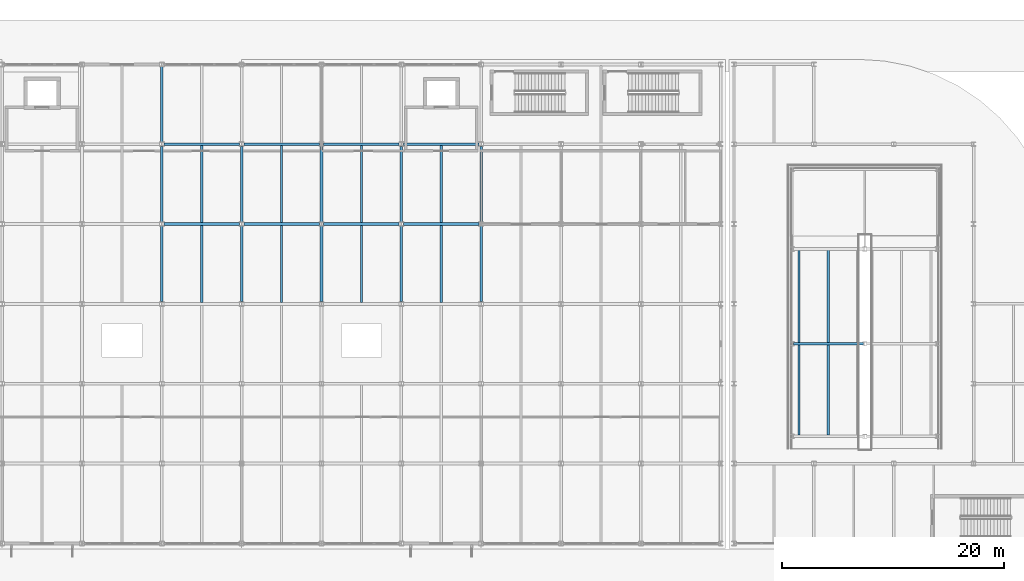
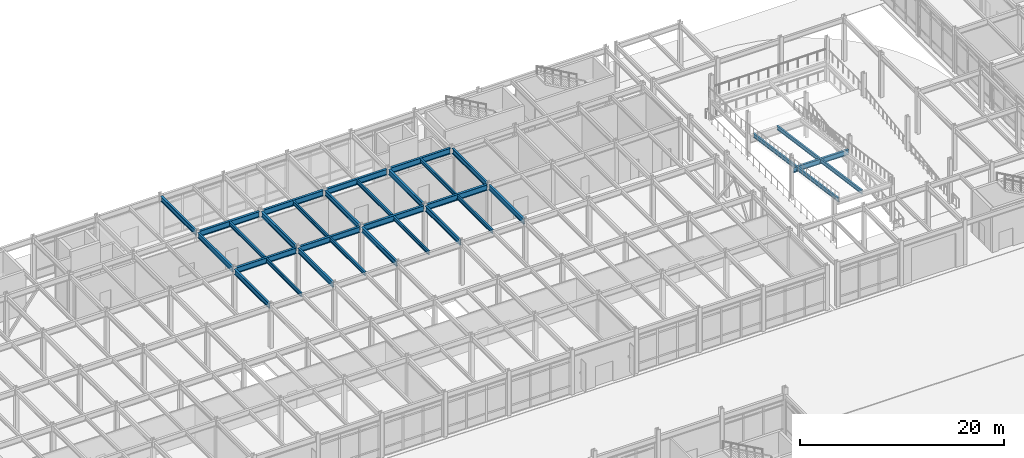
# One storey, part 37 of 104: 30 beams.
"""IFC4 building model written with IfcOpenShell, lengths in metres."""

from ifc_helpers import new_model, si_unit, direction, frame, origin, origin_2d, place, context, subcontext, project, spatial, i_section, extrude, material, material_profile, profile_set, type_object, element, save


model = new_model("IFC4")

# Units and contexts
model_context = context("Model", 3, precision=1e-05, world=origin(), true_north=direction((0.0, 1.0)))
body_context = subcontext(model_context, "Body", "Model", "MODEL_VIEW")
ifc_project = project(units=[si_unit("LENGTHUNIT", "METRE"), si_unit("AREAUNIT", "SQUARE_METRE"), si_unit("VOLUMEUNIT", "CUBIC_METRE"), si_unit("PLANEANGLEUNIT", "RADIAN"), si_unit("MASSUNIT", "GRAM", prefix="KILO")], contexts=[model_context])

# Site, building, storey
site_placement = place(None, origin())
site = spatial("IfcSite", under=ifc_project, at=site_placement, CompositionType="ELEMENT")
building_placement = place(site_placement, origin())
building = spatial("IfcBuilding", under=site, at=building_placement, Name="Vaelcorin Mobility Hub", CompositionType="ELEMENT")
storey_placement = place(building_placement, origin())
storey = spatial("IfcBuildingStorey", under=building, at=storey_placement, Name="L00", CompositionType="ELEMENT", Elevation=0.0)

# Beams
ifc_material = material(Name="Steel ASTM A992 Grade 50", Category="steel")
ifc_material_profile_1 = material_profile(ifc_material, i_section(OverallWidth=0.19091796875, OverallDepth=0.4599609375, WebThickness=0.010009765625, FlangeThickness=0.01611328125, FilletRadius=0.012939453125, at=origin_2d()), Name="W18X55")
ifc_profile_set_1 = profile_set([ifc_material_profile_1], Name="Steel ASTM A992 Grade 50")
beam_type_1 = type_object("IfcBeamType", Name="BM-W18X55", PredefinedType="JOIST", material=ifc_profile_set_1)
beam_1_placement = place(storey_placement, frame((75.60009765625, 98.52490234375, 4.929931640625), z_axis=(0.0, 1.0, 0.0), x_axis=(-1.0, 0.0, 0.0)))
element("IfcBeam", 1, at=beam_1_placement, inside=storey, type_object=beam_type_1, Name="L00 Beam V4-L00-J-06-04-1", PredefinedType="JOIST", context=body_context, shape_type="SweptSolid", body=[
    extrude(i_section(OverallWidth=0.19091796875, OverallDepth=0.4599609375, WebThickness=0.010009765625, FlangeThickness=0.01611328125, FilletRadius=0.012939453125, at=origin_2d()), origin(), (0.0, 0.0, 1.0), 6.9501953125),
])
beam_2_placement = place(storey_placement, frame((75.60009765625, 105.72509765625, 4.929931640625), z_axis=(0.0, 1.0, 0.0), x_axis=(-1.0, 0.0, 0.0)))
element("IfcBeam", 2, at=beam_2_placement, inside=storey, type_object=beam_type_1, Name="L00 Beam V4-L00-J-06-05-1", PredefinedType="JOIST", context=body_context, shape_type="SweptSolid", body=[
    extrude(i_section(OverallWidth=0.19091796875, OverallDepth=0.4599609375, WebThickness=0.010009765625, FlangeThickness=0.01611328125, FilletRadius=0.012939453125, at=origin_2d()), origin(), (0.0, 0.0, 1.0), 6.949951171875),
])
beam_3_placement = place(storey_placement, frame((82.800048828125, 98.52490234375, 4.929931640625), z_axis=(0.0, 1.0, 0.0), x_axis=(-1.0, 0.0, 0.0)))
element("IfcBeam", 3, at=beam_3_placement, inside=storey, type_object=beam_type_1, Name="L00 Beam V4-L00-J-07-04-1", PredefinedType="JOIST", context=body_context, shape_type="SweptSolid", body=[
    extrude(i_section(OverallWidth=0.19091796875, OverallDepth=0.4599609375, WebThickness=0.010009765625, FlangeThickness=0.01611328125, FilletRadius=0.012939453125, at=origin_2d()), origin(), (0.0, 0.0, 1.0), 6.9501953125),
])
beam_4_placement = place(storey_placement, frame((82.800048828125, 105.72509765625, 4.929931640625), z_axis=(0.0, 1.0, 0.0), x_axis=(-1.0, 0.0, 0.0)))
element("IfcBeam", 4, at=beam_4_placement, inside=storey, type_object=beam_type_1, Name="L00 Beam V4-L00-J-07-05-1", PredefinedType="JOIST", context=body_context, shape_type="SweptSolid", body=[
    extrude(i_section(OverallWidth=0.19091796875, OverallDepth=0.4599609375, WebThickness=0.010009765625, FlangeThickness=0.01611328125, FilletRadius=0.012939453125, at=origin_2d()), origin(), (0.0, 0.0, 1.0), 6.949951171875),
])
beam_5_placement = place(storey_placement, frame((90.0, 98.52490234375, 4.929931640625), z_axis=(0.0, 1.0, 0.0), x_axis=(-1.0, 0.0, 0.0)))
element("IfcBeam", 5, at=beam_5_placement, inside=storey, type_object=beam_type_1, Name="L00 Beam V4-L00-J-08-04-1", PredefinedType="JOIST", context=body_context, shape_type="SweptSolid", body=[
    extrude(i_section(OverallWidth=0.19091796875, OverallDepth=0.4599609375, WebThickness=0.010009765625, FlangeThickness=0.01611328125, FilletRadius=0.012939453125, at=origin_2d()), origin(), (0.0, 0.0, 1.0), 6.9501953125),
])
beam_6_placement = place(storey_placement, frame((90.0, 105.72509765625, 4.929931640625), z_axis=(0.0, 1.0, 0.0), x_axis=(-1.0, 0.0, 0.0)))
element("IfcBeam", 6, at=beam_6_placement, inside=storey, type_object=beam_type_1, Name="L00 Beam V4-L00-J-08-05-1", PredefinedType="JOIST", context=body_context, shape_type="SweptSolid", body=[
    extrude(i_section(OverallWidth=0.19091796875, OverallDepth=0.4599609375, WebThickness=0.010009765625, FlangeThickness=0.01611328125, FilletRadius=0.012939453125, at=origin_2d()), origin(), (0.0, 0.0, 1.0), 6.949951171875),
])
beam_7_placement = place(storey_placement, frame((97.199951171875, 98.52490234375, 4.929931640625), z_axis=(0.0, 1.0, 0.0), x_axis=(-1.0, 0.0, 0.0)))
element("IfcBeam", 7, at=beam_7_placement, inside=storey, type_object=beam_type_1, Name="L00 Beam V4-L00-J-09-04-1", PredefinedType="JOIST", context=body_context, shape_type="SweptSolid", body=[
    extrude(i_section(OverallWidth=0.19091796875, OverallDepth=0.4599609375, WebThickness=0.010009765625, FlangeThickness=0.01611328125, FilletRadius=0.012939453125, at=origin_2d()), origin(), (0.0, 0.0, 1.0), 6.9501953125),
])
beam_8_placement = place(storey_placement, frame((97.199951171875, 105.72509765625, 4.929931640625), z_axis=(0.0, 1.0, 0.0), x_axis=(-1.0, 0.0, 0.0)))
element("IfcBeam", 8, at=beam_8_placement, inside=storey, type_object=beam_type_1, Name="L00 Beam V4-L00-J-09-05-1", PredefinedType="JOIST", context=body_context, shape_type="SweptSolid", body=[
    extrude(i_section(OverallWidth=0.19091796875, OverallDepth=0.4599609375, WebThickness=0.010009765625, FlangeThickness=0.01611328125, FilletRadius=0.012939453125, at=origin_2d()), origin(), (0.0, 0.0, 1.0), 6.949951171875),
])
for number, where, z_axis, x_axis, name in (
    (9, (129.449951171875, 103.239990234375, 2.367919921875), (0.0, -0.990235862856, 0.139402065674), (1.0, 0.0, 0.0), "Vehicle Ramp VR-2 L00 Flight 2 Stringer 1"),
    (10, (132.10009765625, 103.239990234375, 2.367919921875), (0.0, -0.990235862856, 0.139402065674), (1.0, 0.0, 0.0), "Vehicle Ramp VR-2 L00 Flight 2 Stringer 2"),
):
    element("IfcBeam", number, at=place(storey_placement, frame(where, z_axis=z_axis, x_axis=x_axis)), inside=storey, type_object=beam_type_1, Name=name, PredefinedType="JOIST", context=body_context, shape_type="SweptSolid", body=[
        extrude(i_section(OverallWidth=0.19091796875, OverallDepth=0.4599609375, WebThickness=0.010009765625, FlangeThickness=0.01611328125, FilletRadius=0.012939453125, at=origin_2d()), origin(), (0.0, 0.0, 1.0), 16.844482421875),
    ])
ifc_material_profile_2 = material_profile(ifc_material, i_section(OverallWidth=0.22900390625, OverallDepth=0.612060546875, WebThickness=0.011962890625, FlangeThickness=0.01953125, FilletRadius=0.014892578125, at=origin_2d()), Name="W24X84")
ifc_profile_set_2 = profile_set([ifc_material_profile_2], Name="Steel ASTM A992 Grade 50")
beam_type_2 = type_object("IfcBeamType", Name="BM-W24X84", PredefinedType="BEAM", material=ifc_profile_set_2)
beam_9_placement = place(storey_placement, frame((72.0, 98.594970703125, 4.85400390625), z_axis=(0.0, 1.0, 0.0), x_axis=(-1.0, 0.0, 0.0)))
element("IfcBeam", 11, at=beam_9_placement, inside=storey, type_object=beam_type_2, Name="L00 Beam V4-L00-GY-06-04", PredefinedType="BEAM", context=body_context, shape_type="SweptSolid", body=[
    extrude(i_section(OverallWidth=0.22900390625, OverallDepth=0.612060546875, WebThickness=0.011962890625, FlangeThickness=0.01953125, FilletRadius=0.014892578125, at=origin_2d()), origin(), (0.0, 0.0, 1.0), 6.81005859375),
])
beam_10_placement = place(storey_placement, frame((72.0, 105.794921875, 4.85400390625), z_axis=(0.0, 1.0, 0.0), x_axis=(-1.0, 0.0, 0.0)))
element("IfcBeam", 12, at=beam_10_placement, inside=storey, type_object=beam_type_2, Name="L00 Beam V4-L00-GY-06-05", PredefinedType="BEAM", context=body_context, shape_type="SweptSolid", body=[
    extrude(i_section(OverallWidth=0.22900390625, OverallDepth=0.612060546875, WebThickness=0.011962890625, FlangeThickness=0.01953125, FilletRadius=0.014892578125, at=origin_2d()), origin(), (0.0, 0.0, 1.0), 6.80419921875),
])
beam_11_placement = place(storey_placement, frame((72.0, 113.0009765625, 4.85400390625), z_axis=(0.0, 1.0, 0.0), x_axis=(-1.0, 0.0, 0.0)))
element("IfcBeam", 13, at=beam_11_placement, inside=storey, type_object=beam_type_2, Name="L00 Beam V4-L00-GY-06-06", PredefinedType="BEAM", context=body_context, shape_type="SweptSolid", body=[
    extrude(i_section(OverallWidth=0.22900390625, OverallDepth=0.612060546875, WebThickness=0.011962890625, FlangeThickness=0.01953125, FilletRadius=0.014892578125, at=origin_2d()), origin(), (0.0, 0.0, 1.0), 6.803955078125),
])
beam_12_placement = place(storey_placement, frame((79.199951171875, 98.594970703125, 4.85400390625), z_axis=(0.0, 1.0, 0.0), x_axis=(-1.0, 0.0, 0.0)))
element("IfcBeam", 14, at=beam_12_placement, inside=storey, type_object=beam_type_2, Name="L00 Beam V4-L00-GY-07-04", PredefinedType="BEAM", context=body_context, shape_type="SweptSolid", body=[
    extrude(i_section(OverallWidth=0.22900390625, OverallDepth=0.612060546875, WebThickness=0.011962890625, FlangeThickness=0.01953125, FilletRadius=0.014892578125, at=origin_2d()), origin(), (0.0, 0.0, 1.0), 6.81005859375),
])
beam_13_placement = place(storey_placement, frame((79.199951171875, 105.794921875, 4.85400390625), z_axis=(0.0, 1.0, 0.0), x_axis=(-1.0, 0.0, 0.0)))
element("IfcBeam", 15, at=beam_13_placement, inside=storey, type_object=beam_type_2, Name="L00 Beam V4-L00-GY-07-05", PredefinedType="BEAM", context=body_context, shape_type="SweptSolid", body=[
    extrude(i_section(OverallWidth=0.22900390625, OverallDepth=0.612060546875, WebThickness=0.011962890625, FlangeThickness=0.01953125, FilletRadius=0.014892578125, at=origin_2d()), origin(), (0.0, 0.0, 1.0), 6.80419921875),
])
beam_14_placement = place(storey_placement, frame((86.39990234375, 98.594970703125, 4.85400390625), z_axis=(0.0, 1.0, 0.0), x_axis=(-1.0, 0.0, 0.0)))
element("IfcBeam", 16, at=beam_14_placement, inside=storey, type_object=beam_type_2, Name="L00 Beam V4-L00-GY-08-04", PredefinedType="BEAM", context=body_context, shape_type="SweptSolid", body=[
    extrude(i_section(OverallWidth=0.22900390625, OverallDepth=0.612060546875, WebThickness=0.011962890625, FlangeThickness=0.01953125, FilletRadius=0.014892578125, at=origin_2d()), origin(), (0.0, 0.0, 1.0), 6.81005859375),
])
beam_15_placement = place(storey_placement, frame((86.39990234375, 105.794921875, 4.85400390625), z_axis=(0.0, 1.0, 0.0), x_axis=(-1.0, 0.0, 0.0)))
element("IfcBeam", 17, at=beam_15_placement, inside=storey, type_object=beam_type_2, Name="L00 Beam V4-L00-GY-08-05", PredefinedType="BEAM", context=body_context, shape_type="SweptSolid", body=[
    extrude(i_section(OverallWidth=0.22900390625, OverallDepth=0.612060546875, WebThickness=0.011962890625, FlangeThickness=0.01953125, FilletRadius=0.014892578125, at=origin_2d()), origin(), (0.0, 0.0, 1.0), 6.80419921875),
])
beam_16_placement = place(storey_placement, frame((93.60009765625, 98.594970703125, 4.85400390625), z_axis=(0.0, 1.0, 0.0), x_axis=(-1.0, 0.0, 0.0)))
element("IfcBeam", 18, at=beam_16_placement, inside=storey, type_object=beam_type_2, Name="L00 Beam V4-L00-GY-09-04", PredefinedType="BEAM", context=body_context, shape_type="SweptSolid", body=[
    extrude(i_section(OverallWidth=0.22900390625, OverallDepth=0.612060546875, WebThickness=0.011962890625, FlangeThickness=0.01953125, FilletRadius=0.014892578125, at=origin_2d()), origin(), (0.0, 0.0, 1.0), 6.81005859375),
])
beam_17_placement = place(storey_placement, frame((93.60009765625, 105.794921875, 4.85400390625), z_axis=(0.0, 1.0, 0.0), x_axis=(-1.0, 0.0, 0.0)))
element("IfcBeam", 19, at=beam_17_placement, inside=storey, type_object=beam_type_2, Name="L00 Beam V4-L00-GY-09-05", PredefinedType="BEAM", context=body_context, shape_type="SweptSolid", body=[
    extrude(i_section(OverallWidth=0.22900390625, OverallDepth=0.612060546875, WebThickness=0.011962890625, FlangeThickness=0.01953125, FilletRadius=0.014892578125, at=origin_2d()), origin(), (0.0, 0.0, 1.0), 6.80419921875),
])
beam_18_placement = place(storey_placement, frame((100.800048828125, 98.594970703125, 4.85400390625), z_axis=(0.0, 1.0, 0.0), x_axis=(-1.0, 0.0, 0.0)))
element("IfcBeam", 20, at=beam_18_placement, inside=storey, type_object=beam_type_2, Name="L00 Beam V4-L00-GY-10-04", PredefinedType="BEAM", context=body_context, shape_type="SweptSolid", body=[
    extrude(i_section(OverallWidth=0.22900390625, OverallDepth=0.612060546875, WebThickness=0.011962890625, FlangeThickness=0.01953125, FilletRadius=0.014892578125, at=origin_2d()), origin(), (0.0, 0.0, 1.0), 6.81005859375),
])
beam_19_placement = place(storey_placement, frame((100.800048828125, 105.794921875, 4.85400390625), z_axis=(0.0, 1.0, 0.0), x_axis=(-1.0, 0.0, 0.0)))
element("IfcBeam", 21, at=beam_19_placement, inside=storey, type_object=beam_type_2, Name="L00 Beam V4-L00-GY-10-05", PredefinedType="BEAM", context=body_context, shape_type="SweptSolid", body=[
    extrude(i_section(OverallWidth=0.22900390625, OverallDepth=0.612060546875, WebThickness=0.011962890625, FlangeThickness=0.01953125, FilletRadius=0.014892578125, at=origin_2d()), origin(), (0.0, 0.0, 1.0), 6.80419921875),
])
beam_20_placement = place(storey_placement, frame((128.97998046875, 94.800048828125, 3.4599609375), z_axis=(1.0, 0.0, 0.0), x_axis=(0.0, 1.0, 0.0)))
element("IfcBeam", 22, at=beam_20_placement, inside=storey, type_object=beam_type_2, Name="Vehicle Ramp VR-2 L00 Bent Girder F2M", PredefinedType="BEAM", context=body_context, shape_type="SweptSolid", body=[
    extrude(i_section(OverallWidth=0.22900390625, OverallDepth=0.612060546875, WebThickness=0.011962890625, FlangeThickness=0.01953125, FilletRadius=0.014892578125, at=origin_2d()), origin(), (0.0, 0.0, 1.0), 6.2900390625),
])
ifc_material_profile_3 = material_profile(ifc_material, i_section(OverallWidth=0.25390625, OverallDepth=0.68310546875, WebThickness=0.012451171875, FlangeThickness=0.018798828125, FilletRadius=0.01611328125, at=origin_2d()), Name="W27X94")
ifc_profile_set_3 = profile_set([ifc_material_profile_3], Name="Steel ASTM A992 Grade 50")
beam_type_3 = type_object("IfcBeamType", Name="BM-W27X94", PredefinedType="BEAM", material=ifc_profile_set_3)
for number, where, z_axis, x_axis, name in (
    (23, (72.197998046875, 105.60009765625, 4.818115234375), (1.0, 0.0, 0.0), (0.0, 1.0, 0.0), "L00 Beam V4-L00-GX-05-06"),
    (24, (79.39794921875, 105.60009765625, 4.818115234375), (1.0, 0.0, 0.0), (0.0, 1.0, 0.0), "L00 Beam V4-L00-GX-05-07"),
):
    element("IfcBeam", number, at=place(storey_placement, frame(where, z_axis=z_axis, x_axis=x_axis)), inside=storey, type_object=beam_type_3, Name=name, PredefinedType="BEAM", context=body_context, shape_type="SweptSolid", body=[
        extrude(i_section(OverallWidth=0.25390625, OverallDepth=0.68310546875, WebThickness=0.012451171875, FlangeThickness=0.018798828125, FilletRadius=0.01611328125, at=origin_2d()), origin(), (0.0, 0.0, 1.0), 6.803955078125),
    ])
beam_21_placement = place(storey_placement, frame((86.597900390625, 105.60009765625, 4.818115234375), z_axis=(1.0, 0.0, 0.0), x_axis=(0.0, 1.0, 0.0)))
element("IfcBeam", 25, at=beam_21_placement, inside=storey, type_object=beam_type_3, Name="L00 Beam V4-L00-GX-05-08", PredefinedType="BEAM", context=body_context, shape_type="SweptSolid", body=[
    extrude(i_section(OverallWidth=0.25390625, OverallDepth=0.68310546875, WebThickness=0.012451171875, FlangeThickness=0.018798828125, FilletRadius=0.01611328125, at=origin_2d()), origin(), (0.0, 0.0, 1.0), 6.80419921875),
])
beam_22_placement = place(storey_placement, frame((93.798095703125, 105.60009765625, 4.818115234375), z_axis=(1.0, 0.0, 0.0), x_axis=(0.0, 1.0, 0.0)))
element("IfcBeam", 26, at=beam_22_placement, inside=storey, type_object=beam_type_3, Name="L00 Beam V4-L00-GX-05-09", PredefinedType="BEAM", context=body_context, shape_type="SweptSolid", body=[
    extrude(i_section(OverallWidth=0.25390625, OverallDepth=0.68310546875, WebThickness=0.012451171875, FlangeThickness=0.018798828125, FilletRadius=0.01611328125, at=origin_2d()), origin(), (0.0, 0.0, 1.0), 6.803955078125),
])
for number, where, z_axis, x_axis, name in (
    (27, (72.199951171875, 112.800048828125, 4.818115234375), (1.0, 0.0, 0.0), (0.0, 1.0, 0.0), "L00 Beam V4-L00-GX-06-06"),
    (28, (79.39990234375, 112.800048828125, 4.818115234375), (1.0, 0.0, 0.0), (0.0, 1.0, 0.0), "L00 Beam V4-L00-GX-06-07"),
):
    element("IfcBeam", number, at=place(storey_placement, frame(where, z_axis=z_axis, x_axis=x_axis)), inside=storey, type_object=beam_type_3, Name=name, PredefinedType="BEAM", context=body_context, shape_type="SweptSolid", body=[
        extrude(i_section(OverallWidth=0.25390625, OverallDepth=0.68310546875, WebThickness=0.012451171875, FlangeThickness=0.018798828125, FilletRadius=0.01611328125, at=origin_2d()), origin(), (0.0, 0.0, 1.0), 6.800048828125),
    ])
beam_23_placement = place(storey_placement, frame((86.60009765625, 112.800048828125, 4.818115234375), z_axis=(1.0, 0.0, 0.0), x_axis=(0.0, 1.0, 0.0)))
element("IfcBeam", 29, at=beam_23_placement, inside=storey, type_object=beam_type_3, Name="L00 Beam V4-L00-GX-06-08", PredefinedType="BEAM", context=body_context, shape_type="SweptSolid", body=[
    extrude(i_section(OverallWidth=0.25390625, OverallDepth=0.68310546875, WebThickness=0.012451171875, FlangeThickness=0.018798828125, FilletRadius=0.01611328125, at=origin_2d()), origin(), (0.0, 0.0, 1.0), 6.7998046875),
])
beam_24_placement = place(storey_placement, frame((93.800048828125, 112.800048828125, 4.818115234375), z_axis=(1.0, 0.0, 0.0), x_axis=(0.0, 1.0, 0.0)))
element("IfcBeam", 30, at=beam_24_placement, inside=storey, type_object=beam_type_3, Name="L00 Beam V4-L00-GX-06-09", PredefinedType="BEAM", context=body_context, shape_type="SweptSolid", body=[
    extrude(i_section(OverallWidth=0.25390625, OverallDepth=0.68310546875, WebThickness=0.012451171875, FlangeThickness=0.018798828125, FilletRadius=0.01611328125, at=origin_2d()), origin(), (0.0, 0.0, 1.0), 6.800048828125),
])

save(model, "model.ifc")
